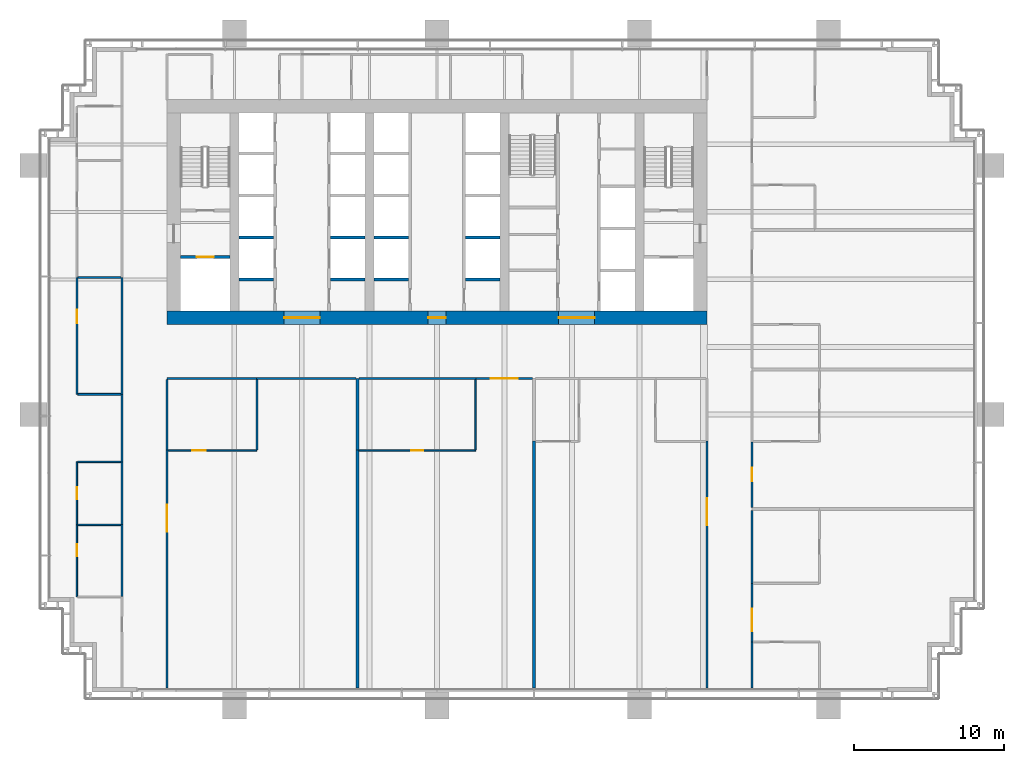
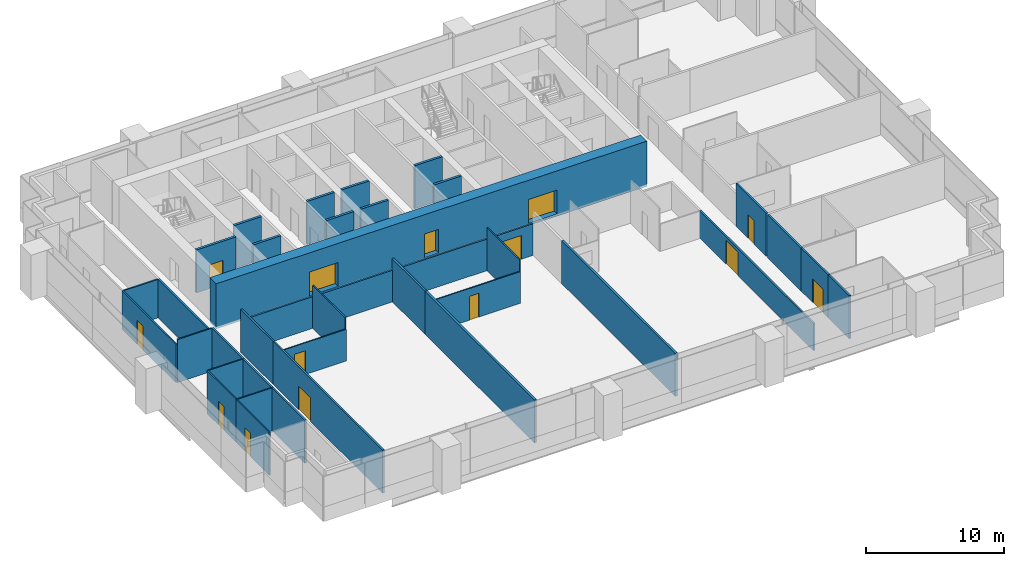
# One storey, part 12 of 19: 39 walls, 14 doors, 14 openings.
"""IFC4 building model written with IfcOpenShell, lengths in metres."""

from ifc_helpers import new_model, si_unit, direction, frame, frame_2d, origin, place, context, subcontext, project, spatial, rectangle, extrude, material, layer, layer_set, type_object, element, fill, save


model = new_model("IFC4")

# Units and contexts
model_context = context("Model", 3, precision=1e-05, world=origin(), true_north=direction((0.0, 1.0)))
body_context = subcontext(model_context, "Body", "Model", "MODEL_VIEW")
ifc_project = project(units=[si_unit("LENGTHUNIT", "METRE"), si_unit("AREAUNIT", "SQUARE_METRE"), si_unit("VOLUMEUNIT", "CUBIC_METRE"), si_unit("PLANEANGLEUNIT", "RADIAN"), si_unit("MASSUNIT", "GRAM", prefix="KILO")], contexts=[model_context])

# Site, building, storey
site_placement = place(None, origin())
site = spatial("IfcSite", under=ifc_project, at=site_placement, CompositionType="ELEMENT")
building_placement = place(site_placement, origin())
building = spatial("IfcBuilding", under=site, at=building_placement, Name="Rattan Terrace Tower", CompositionType="ELEMENT")
storey_placement = place(building_placement, frame((0.0, 0.0, 111.699951171875)))
storey = spatial("IfcBuildingStorey", under=building, at=storey_placement, Name="L25", CompositionType="ELEMENT", Elevation=111.699951171875)

# Wall, opening, door
ifc_material_1 = material(Name="Gypsum board partition")
ifc_layer_1 = layer(ifc_material_1, 0.199951171875)
ifc_layer_set_1 = layer_set([ifc_layer_1], Name="Core partition 200")
wall_type_1 = type_object("IfcWallType", Name="Core partition 200", PredefinedType="PARTITIONING", material=ifc_layer_set_1)
wall_1_placement = place(storey_placement, frame((-17.10009765625, -3.0, 0.0), z_axis=(0.0, 0.0, 1.0), x_axis=(1.0, 0.0, 0.0)))
wall_1 = element("IfcWall", 1, at=wall_1_placement, inside=storey, type_object=wall_type_1, Name="Fire-fighting lobby wall", PredefinedType="PARTITIONING", context=body_context, shape_type="SweptSolid", body=[
    extrude(rectangle(XDim=3.300048828125, YDim=0.199951171875, at=frame_2d((1.64990234375, 0.0))), origin(), (0.0, 0.0, 1.0), 3.800048828125),
])
opening_1_placement = place(wall_1_placement, frame((1.10009765625, 0.0, 0.0)))
opening_1 = element("IfcOpeningElement", 2, at=opening_1_placement, cuts=wall_1, Name="Opening L25-LD-FF1", PredefinedType="OPENING", context=body_context, shape_type="SweptSolid", body=[
    extrude(rectangle(XDim=1.10009765625, YDim=2.10009765625, at=frame_2d((0.550048828125, 1.050048828125))), frame((0.0, 0.110595703125, 0.0), z_axis=(0.0, -1.0, 0.0), x_axis=(1.0, 0.0, 0.0)), (0.0, 0.0, 1.0), 0.220947265625),
])
ifc_material_2 = material(Name="Brushed stainless landing door panel")
door_type_1 = type_object("IfcDoorType", Name="Core lift landing door 1100", OperationType="DOUBLE_DOOR_SLIDING", PredefinedType="DOOR", material=ifc_material_2)
door_1_placement = place(opening_1_placement, origin())
door_1 = element("IfcDoor", 3, at=door_1_placement, inside=storey, type_object=door_type_1, Name="Door L25-LD-FF1", OperationType="DOUBLE_DOOR_SLIDING", OverallHeight=2.10009765625, OverallWidth=1.10009765625, PredefinedType="DOOR", context=body_context, shape_type="SweptSolid", body=[
    extrude(rectangle(XDim=1.10009765625, YDim=2.10009765625, at=frame_2d((0.550048828125, 1.050048828125))), frame((0.0, 0.02490234375, 0.0), z_axis=(0.0, -1.0, 0.0), x_axis=(1.0, 0.0, 0.0)), (0.0, 0.0, 1.0), 0.050048828125),
])
fill(opening_1, door_1)

# Wall, openings, doors
ifc_material_3 = material(Name="Concrete C70/85", Category="concrete")
ifc_layer_2 = layer(ifc_material_3, 0.89990234375)
ifc_layer_set_2 = layer_set([ifc_layer_2], Name="Core ring wall 900 C70/85")
wall_type_2 = type_object("IfcWallType", Name="Core ring wall 900 C70/85", PredefinedType="SHEAR", material=ifc_layer_set_2)
wall_2_placement = place(storey_placement, frame((-18.0, -7.050048828125, -0.199951171875), z_axis=(0.0, 0.0, 1.0), x_axis=(1.0, 0.0, 0.0)))
wall_2 = element("IfcWall", 4, at=wall_2_placement, inside=storey, type_object=wall_type_2, Name="Rear core wall south", PredefinedType="SHEAR", context=body_context, shape_type="SweptSolid", body=[
    extrude(rectangle(XDim=36.0, YDim=0.89990234375, at=frame_2d((18.0, 0.0))), origin(), (0.0, 0.0, 1.0), 4.0),
])
opening_2_placement = place(wall_2_placement, frame((7.800048828125, 0.0, 0.199951171875)))
opening_2 = element("IfcOpeningElement", 5, at=opening_2_placement, cuts=wall_2, Name="Opening L25-D007", PredefinedType="OPENING", context=body_context, shape_type="SweptSolid", body=[
    extrude(rectangle(XDim=2.39990234375, YDim=2.10009765625, at=frame_2d((1.199951171875, 1.050048828125))), frame((0.0, 0.46044921875, 0.0), z_axis=(0.0, -1.0, 0.0), x_axis=(1.0, 0.0, 0.0)), (0.0, 0.0, 1.0), 0.9208984375),
])
opening_3_placement = place(wall_2_placement, frame((17.39990234375, 0.0, 0.199951171875)))
opening_3 = element("IfcOpeningElement", 6, at=opening_3_placement, cuts=wall_2, Name="Opening L25-D010", PredefinedType="OPENING", context=body_context, shape_type="SweptSolid", body=[
    extrude(rectangle(XDim=1.199951171875, YDim=2.10009765625, at=frame_2d((0.60009765625, 1.050048828125))), frame((0.0, 0.46044921875, 0.0), z_axis=(0.0, -1.0, 0.0), x_axis=(1.0, 0.0, 0.0)), (0.0, 0.0, 1.0), 0.9208984375),
])
opening_4_placement = place(wall_2_placement, frame((26.10009765625, 0.0, 0.199951171875)))
opening_4 = element("IfcOpeningElement", 7, at=opening_4_placement, cuts=wall_2, Name="Opening L25-D015", PredefinedType="OPENING", context=body_context, shape_type="SweptSolid", body=[
    extrude(rectangle(XDim=2.39990234375, YDim=2.10009765625, at=frame_2d((1.199951171875, 1.050048828125))), frame((0.0, 0.46044921875, 0.0), z_axis=(0.0, -1.0, 0.0), x_axis=(1.0, 0.0, 0.0)), (0.0, 0.0, 1.0), 0.9208984375),
])
ifc_material_4 = material(Name="Hollow-metal fire door leaf")
door_type_2 = type_object("IfcDoorType", Name="Core lift lobby door 2400", OperationType="NOTDEFINED", PredefinedType="DOOR", material=ifc_material_4)
door_2_placement = place(opening_2_placement, origin())
door_2 = element("IfcDoor", 8, at=door_2_placement, inside=storey, type_object=door_type_2, Name="Door L25-D007", OperationType="DOUBLE_DOOR_DOUBLE_SWING", OverallHeight=2.10009765625, OverallWidth=2.39990234375, PredefinedType="DOOR", context=body_context, shape_type="SweptSolid", body=[
    extrude(rectangle(XDim=2.39990234375, YDim=2.10009765625, at=frame_2d((1.199951171875, 1.050048828125))), frame((0.0, 0.02490234375, 0.0), z_axis=(0.0, -1.0, 0.0), x_axis=(1.0, 0.0, 0.0)), (0.0, 0.0, 1.0), 0.050048828125),
])
fill(opening_2, door_2)
door_3_placement = place(opening_4_placement, origin())
door_3 = element("IfcDoor", 9, at=door_3_placement, inside=storey, type_object=door_type_2, Name="Door L25-D015", OperationType="DOUBLE_DOOR_DOUBLE_SWING", OverallHeight=2.10009765625, OverallWidth=2.39990234375, PredefinedType="DOOR", context=body_context, shape_type="SweptSolid", body=[
    extrude(rectangle(XDim=2.39990234375, YDim=2.10009765625, at=frame_2d((1.199951171875, 1.050048828125))), frame((0.0, 0.02490234375, 0.0), z_axis=(0.0, -1.0, 0.0), x_axis=(1.0, 0.0, 0.0)), (0.0, 0.0, 1.0), 0.050048828125),
])
fill(opening_4, door_3)
ifc_material_5 = material(Name="Hollow-metal fire door leaf")
door_type_3 = type_object("IfcDoorType", Name="Core riser door 1200", OperationType="NOTDEFINED", PredefinedType="DOOR", material=ifc_material_5)
door_4_placement = place(opening_3_placement, origin())
door_4 = element("IfcDoor", 10, at=door_4_placement, inside=storey, type_object=door_type_3, Name="Door L25-D010", OperationType="SINGLE_SWING_LEFT", OverallHeight=2.10009765625, OverallWidth=1.199951171875, PredefinedType="DOOR", context=body_context, shape_type="SweptSolid", body=[
    extrude(rectangle(XDim=1.199951171875, YDim=2.10009765625, at=frame_2d((0.60009765625, 1.050048828125))), frame((0.0, 0.02490234375, 0.0), z_axis=(0.0, -1.0, 0.0), x_axis=(1.0, 0.0, 0.0)), (0.0, 0.0, 1.0), 0.050048828125),
])
fill(opening_3, door_4)

# Walls
ifc_material_6 = material(Name="Double steel stud acoustic partition, gypsum board, mineral wool, fire rated", Category="steel")
ifc_layer_3 = layer(ifc_material_6, 0.179931640625)
ifc_layer_set_3 = layer_set([ifc_layer_3], Name="Floors Acoustic Party Wall 180")
wall_type_3 = type_object("IfcWallType", Name="Floors Acoustic Party Wall 180", PredefinedType="PARTITIONING", material=ifc_layer_set_3)
wall_3_placement = place(storey_placement, frame((-5.2939453125, -15.8798828125, 0.0), z_axis=(0.0, 0.0, 1.0), x_axis=(0.0, -1.0, 0.0)))
element("IfcWall", 11, at=wall_3_placement, inside=storey, type_object=wall_type_3, Name="pt-L25-073", PredefinedType="PARTITIONING", context=body_context, shape_type="SweptSolid", body=[
    extrude(rectangle(XDim=15.860107421875, YDim=0.179931640625, at=frame_2d((7.93017578125, 0.0))), origin(), (0.0, 0.0, 1.0), 3.800048828125),
])
wall_4_placement = place(storey_placement, frame((-5.2939453125, -11.10009765625, 0.0), z_axis=(0.0, 0.0, 1.0), x_axis=(0.0, -1.0, 0.0)))
element("IfcWall", 12, at=wall_4_placement, inside=storey, type_object=wall_type_3, Name="pt-L25-074", PredefinedType="PARTITIONING", context=body_context, shape_type="SweptSolid", body=[
    extrude(rectangle(XDim=4.77978515625, YDim=0.179931640625, at=frame_2d((2.389892578125, 0.0))), origin(), (0.0, 0.0, 1.0), 3.800048828125),
])
wall_5_placement = place(storey_placement, frame((6.470947265625, -15.280029296875, 0.0), z_axis=(0.0, 0.0, 1.0), x_axis=(0.0, -1.0, 0.0)))
element("IfcWall", 13, at=wall_5_placement, inside=storey, type_object=wall_type_3, Name="pt-L25-077", PredefinedType="PARTITIONING", context=body_context, shape_type="SweptSolid", body=[
    extrude(rectangle(XDim=16.4599609375, YDim=0.179931640625, at=frame_2d((8.22998046875, 0.0))), origin(), (0.0, 0.0, 1.0), 3.800048828125),
])

# Wall, opening, door
ifc_material_7 = material(Name="Gypsum board partition on steel studs", Category="steel")
ifc_layer_4 = layer(ifc_material_7, 0.10009765625)
ifc_layer_set_4 = layer_set([ifc_layer_4], Name="Floors Partition 100")
wall_type_4 = type_object("IfcWallType", Name="Floors Partition 100", PredefinedType="PARTITIONING", material=ifc_layer_set_4)
wall_6_placement = place(storey_placement, frame((-24.0, -20.840087890625, 0.0), z_axis=(0.0, 0.0, 1.0), x_axis=(0.0, -1.0, 0.0)))
wall_6 = element("IfcWall", 14, at=wall_6_placement, inside=storey, type_object=wall_type_4, Name="pt-L25-032", PredefinedType="PARTITIONING", context=body_context, shape_type="SweptSolid", body=[
    extrude(rectangle(XDim=4.81982421875, YDim=0.10009765625, at=frame_2d((2.409912109375, 0.0))), origin(), (0.0, 0.0, 1.0), 3.800048828125),
])
opening_5_placement = place(wall_6_placement, frame((1.305908203125, 0.0, 0.0)))
opening_5 = element("IfcOpeningElement", 15, at=opening_5_placement, cuts=wall_6, Name="Opening L25-D101", PredefinedType="OPENING", context=body_context, shape_type="SweptSolid", body=[
    extrude(rectangle(XDim=0.800048828125, YDim=2.10009765625, at=frame_2d((0.39990234375, 1.050048828125))), frame((0.0, 0.060546875, 0.0), z_axis=(0.0, -1.0, 0.0), x_axis=(1.0, 0.0, 0.0)), (0.0, 0.0, 1.0), 0.12109375),
])
ifc_material_8 = material(Name="Solid core timber door, painted", Category="wood")
door_type_4 = type_object("IfcDoorType", Name="Floors Store Door 800x2100", OperationType="NOTDEFINED", PredefinedType="DOOR", material=ifc_material_8)
door_5_placement = place(opening_5_placement, origin())
door_5 = element("IfcDoor", 16, at=door_5_placement, inside=storey, type_object=door_type_4, Name="d-L25-101", OperationType="SINGLE_SWING_LEFT", OverallHeight=2.10009765625, OverallWidth=0.800048828125, PredefinedType="DOOR", context=body_context, shape_type="SweptSolid", body=[
    extrude(rectangle(XDim=0.800048828125, YDim=2.10009765625, at=frame_2d((0.39990234375, 1.050048828125))), frame((0.0, 0.02490234375, 0.0), z_axis=(0.0, -1.0, 0.0), x_axis=(1.0, 0.0, 0.0)), (0.0, 0.0, 1.0), 0.050048828125),
])
fill(opening_5, door_5)

wall_7_placement = place(storey_placement, frame((-24.0, -16.659912109375, 0.0), z_axis=(0.0, 0.0, 1.0), x_axis=(0.0, -1.0, 0.0)))
wall_7 = element("IfcWall", 17, at=wall_7_placement, inside=storey, type_object=wall_type_4, Name="pt-L25-034", PredefinedType="PARTITIONING", context=body_context, shape_type="SweptSolid", body=[
    extrude(rectangle(XDim=4.18017578125, YDim=0.10009765625, at=frame_2d((2.090087890625, 0.0))), origin(), (0.0, 0.0, 1.0), 3.800048828125),
])
opening_6_placement = place(wall_7_placement, frame((1.68994140625, 0.0, 0.0)))
opening_6 = element("IfcOpeningElement", 18, at=opening_6_placement, cuts=wall_7, Name="Opening L25-D102", PredefinedType="OPENING", context=body_context, shape_type="SweptSolid", body=[
    extrude(rectangle(XDim=0.800048828125, YDim=2.10009765625, at=frame_2d((0.39990234375, 1.050048828125))), frame((0.0, 0.060546875, 0.0), z_axis=(0.0, -1.0, 0.0), x_axis=(1.0, 0.0, 0.0)), (0.0, 0.0, 1.0), 0.12109375),
])
door_6_placement = place(opening_6_placement, origin())
door_6 = element("IfcDoor", 19, at=door_6_placement, inside=storey, type_object=door_type_4, Name="d-L25-102", OperationType="SINGLE_SWING_LEFT", OverallHeight=2.10009765625, OverallWidth=0.800048828125, PredefinedType="DOOR", context=body_context, shape_type="SweptSolid", body=[
    extrude(rectangle(XDim=0.800048828125, YDim=2.10009765625, at=frame_2d((0.39990234375, 1.050048828125))), frame((0.0, 0.02490234375, 0.0), z_axis=(0.0, -1.0, 0.0), x_axis=(1.0, 0.0, 0.0)), (0.0, 0.0, 1.0), 0.050048828125),
])
fill(opening_6, door_6)

# Walls
for number, where, z_axis, x_axis, name in (
    (20, (-21.074951171875, -16.659912109375, 0.0), (0.0, 0.0, 1.0), (-1.0, 0.0, 0.0), "pt-L25-035"),
    (21, (-23.949951171875, -20.860107421875, 0.0), (0.0, 0.0, 1.0), (1.0, 0.0, 0.0), "pt-L25-041"),
):
    element("IfcWall", number, at=place(storey_placement, frame(where, z_axis=z_axis, x_axis=x_axis)), inside=storey, type_object=wall_type_4, Name=name, PredefinedType="PARTITIONING", context=body_context, shape_type="SweptSolid", body=[
        extrude(rectangle(XDim=2.875, YDim=0.10009765625, at=frame_2d((1.4375, 0.0))), origin(), (0.0, 0.0, 1.0), 3.800048828125),
    ])

# Wall, opening, door
wall_8_placement = place(storey_placement, frame((-17.925048828125, -15.89990234375, 0.0), z_axis=(0.0, 0.0, 1.0), x_axis=(1.0, 0.0, 0.0)))
wall_8 = element("IfcWall", 22, at=wall_8_placement, inside=storey, type_object=wall_type_4, Name="pt-L25-071", PredefinedType="PARTITIONING", context=body_context, shape_type="SweptSolid", body=[
    extrude(rectangle(XDim=5.925048828125, YDim=0.10009765625, at=frame_2d((2.96240234375, 0.0))), origin(), (0.0, 0.0, 1.0), 2.800048828125),
])
opening_7_placement = place(wall_8_placement, frame((1.60791015625, 0.0, 0.0)))
opening_7 = element("IfcOpeningElement", 23, at=opening_7_placement, cuts=wall_8, Name="Opening L25-D122", PredefinedType="OPENING", context=body_context, shape_type="SweptSolid", body=[
    extrude(rectangle(XDim=0.89990234375, YDim=2.10009765625, at=frame_2d((0.449951171875, 1.050048828125))), frame((0.0, 0.060546875, 0.0), z_axis=(0.0, -1.0, 0.0), x_axis=(1.0, 0.0, 0.0)), (0.0, 0.0, 1.0), 0.12109375),
])
ifc_material_9 = material(Name="Solid core timber door, painted", Category="wood")
door_type_5 = type_object("IfcDoorType", Name="Floors Door 900x2100", OperationType="NOTDEFINED", PredefinedType="DOOR", material=ifc_material_9)
door_7_placement = place(opening_7_placement, origin())
door_7 = element("IfcDoor", 24, at=door_7_placement, inside=storey, type_object=door_type_5, Name="d-L25-122", OperationType="SINGLE_SWING_LEFT", OverallHeight=2.10009765625, OverallWidth=0.89990234375, PredefinedType="DOOR", context=body_context, shape_type="SweptSolid", body=[
    extrude(rectangle(XDim=0.89990234375, YDim=2.10009765625, at=frame_2d((0.449951171875, 1.050048828125))), frame((0.0, 0.02490234375, 0.0), z_axis=(0.0, -1.0, 0.0), x_axis=(1.0, 0.0, 0.0)), (0.0, 0.0, 1.0), 0.050048828125),
])
fill(opening_7, door_7)

# Wall
wall_9_placement = place(storey_placement, frame((-12.0, -15.85009765625, 0.0), z_axis=(0.0, 0.0, 1.0), x_axis=(0.0, 1.0, 0.0)))
element("IfcWall", 25, at=wall_9_placement, inside=storey, type_object=wall_type_4, Name="pt-L25-072", PredefinedType="PARTITIONING", context=body_context, shape_type="SweptSolid", body=[
    extrude(rectangle(XDim=4.675048828125, YDim=0.10009765625, at=frame_2d((2.33740234375, 0.0))), origin(), (0.0, 0.0, 1.0), 3.800048828125),
])

# Wall, opening, door
wall_10_placement = place(storey_placement, frame((-5.2041015625, -15.89990234375, 0.0), z_axis=(0.0, 0.0, 1.0), x_axis=(1.0, 0.0, 0.0)))
wall_10 = element("IfcWall", 26, at=wall_10_placement, inside=storey, type_object=wall_type_4, Name="pt-L25-075", PredefinedType="PARTITIONING", context=body_context, shape_type="SweptSolid", body=[
    extrude(rectangle(XDim=7.775146484375, YDim=0.10009765625, at=frame_2d((3.8876953125, 0.0))), origin(), (0.0, 0.0, 1.0), 2.800048828125),
])
opening_8_placement = place(wall_10_placement, frame((3.488037109375, 0.0, 0.0)))
opening_8 = element("IfcOpeningElement", 27, at=opening_8_placement, cuts=wall_10, Name="Opening L25-D124", PredefinedType="OPENING", context=body_context, shape_type="SweptSolid", body=[
    extrude(rectangle(XDim=0.800048828125, YDim=2.10009765625, at=frame_2d((0.39990234375, 1.050048828125))), frame((0.0, 0.060546875, 0.0), z_axis=(0.0, -1.0, 0.0), x_axis=(1.0, 0.0, 0.0)), (0.0, 0.0, 1.0), 0.12109375),
])
door_8_placement = place(opening_8_placement, origin())
door_8 = element("IfcDoor", 28, at=door_8_placement, inside=storey, type_object=door_type_4, Name="d-L25-124", OperationType="SINGLE_SWING_LEFT", OverallHeight=2.10009765625, OverallWidth=0.800048828125, PredefinedType="DOOR", context=body_context, shape_type="SweptSolid", body=[
    extrude(rectangle(XDim=0.800048828125, YDim=2.10009765625, at=frame_2d((0.39990234375, 1.050048828125))), frame((0.0, 0.02490234375, 0.0), z_axis=(0.0, -1.0, 0.0), x_axis=(1.0, 0.0, 0.0)), (0.0, 0.0, 1.0), 0.050048828125),
])
fill(opening_8, door_8)

# Walls
wall_11_placement = place(storey_placement, frame((2.571044921875, -15.85009765625, 0.0), z_axis=(0.0, 0.0, 1.0), x_axis=(0.0, 1.0, 0.0)))
element("IfcWall", 29, at=wall_11_placement, inside=storey, type_object=wall_type_4, Name="pt-L25-076", PredefinedType="PARTITIONING", context=body_context, shape_type="SweptSolid", body=[
    extrude(rectangle(XDim=4.675048828125, YDim=0.10009765625, at=frame_2d((2.33740234375, 0.0))), origin(), (0.0, 0.0, 1.0), 3.800048828125),
])
ifc_material_10 = material(Name="Gypsum board partition on steel studs, fire rated", Category="steel")
ifc_layer_5 = layer(ifc_material_10, 0.14990234375)
ifc_layer_set_5 = layer_set([ifc_layer_5], Name="Floors Tenancy Wall 150")
wall_type_5 = type_object("IfcWallType", Name="Floors Tenancy Wall 150", PredefinedType="PARTITIONING", material=ifc_layer_set_5)
wall_12_placement = place(storey_placement, frame((-21.0, -16.679931640625, 0.0), z_axis=(0.0, 0.0, 1.0), x_axis=(0.0, 1.0, 0.0)))
element("IfcWall", 30, at=wall_12_placement, inside=storey, type_object=wall_type_5, Name="pt-L25-003", PredefinedType="PARTITIONING", context=body_context, shape_type="SweptSolid", body=[
    extrude(rectangle(XDim=4.5, YDim=0.14990234375, at=frame_2d((2.25, 0.0))), origin(), (0.0, 0.0, 1.0), 3.800048828125),
])
wall_13_placement = place(storey_placement, frame((-21.0, -25.639892578125, 0.0), z_axis=(0.0, 0.0, 1.0), x_axis=(0.0, 1.0, 0.0)))
element("IfcWall", 31, at=wall_13_placement, inside=storey, type_object=wall_type_5, Name="pt-L25-004", PredefinedType="PARTITIONING", context=body_context, shape_type="SweptSolid", body=[
    extrude(rectangle(XDim=4.7998046875, YDim=0.14990234375, at=frame_2d((2.39990234375, 0.0))), origin(), (0.0, 0.0, 1.0), 3.800048828125),
])
wall_14_placement = place(storey_placement, frame((-21.0, -20.840087890625, 0.0), z_axis=(0.0, 0.0, 1.0), x_axis=(0.0, 1.0, 0.0)))
element("IfcWall", 32, at=wall_14_placement, inside=storey, type_object=wall_type_5, Name="pt-L25-005", PredefinedType="PARTITIONING", context=body_context, shape_type="SweptSolid", body=[
    extrude(rectangle(XDim=4.16015625, YDim=0.14990234375, at=frame_2d((2.080078125, 0.0))), origin(), (0.0, 0.0, 1.0), 3.800048828125),
])
wall_15_placement = place(storey_placement, frame((-21.0, -12.179931640625, 0.0), z_axis=(0.0, 0.0, 1.0), x_axis=(0.0, 1.0, 0.0)))
element("IfcWall", 33, at=wall_15_placement, inside=storey, type_object=wall_type_5, Name="pt-L25-006", PredefinedType="PARTITIONING", context=body_context, shape_type="SweptSolid", body=[
    extrude(rectangle(XDim=7.800048828125, YDim=0.14990234375, at=frame_2d((3.89990234375, 0.0))), origin(), (0.0, 0.0, 1.0), 3.400146484375),
])

# Wall, opening, door
wall_16_placement = place(storey_placement, frame((21.0, -24.780029296875, 0.0), z_axis=(0.0, 0.0, 1.0), x_axis=(0.0, -1.0, 0.0)))
wall_16 = element("IfcWall", 34, at=wall_16_placement, inside=storey, type_object=wall_type_5, Name="pt-L25-009", PredefinedType="PARTITIONING", context=body_context, shape_type="SweptSolid", body=[
    extrude(rectangle(XDim=3.89990234375, YDim=0.14990234375, at=frame_2d((1.949951171875, 0.0))), origin(), (0.0, 0.0, 1.0), 3.800048828125),
])
opening_9_placement = place(wall_16_placement, frame((1.675048828125, 0.0, 0.0)))
opening_9 = element("IfcOpeningElement", 35, at=opening_9_placement, cuts=wall_16, Name="Opening L25-D106", PredefinedType="OPENING", context=body_context, shape_type="SweptSolid", body=[
    extrude(rectangle(XDim=1.5, YDim=2.10009765625, at=frame_2d((0.75, 1.050048828125))), frame((0.0, 0.08544921875, 0.0), z_axis=(0.0, -1.0, 0.0), x_axis=(1.0, 0.0, 0.0)), (0.0, 0.0, 1.0), 0.1708984375),
])
ifc_material_11 = material(Name="Steel fire door set", Category="steel")
door_type_6 = type_object("IfcDoorType", Name="Floors Unit Door Pair FD30S 1500x2100", OperationType="NOTDEFINED", PredefinedType="DOOR", material=ifc_material_11)
door_9_placement = place(opening_9_placement, origin())
door_9 = element("IfcDoor", 36, at=door_9_placement, inside=storey, type_object=door_type_6, Name="d-L25-106", OperationType="DOUBLE_DOOR_SINGLE_SWING", OverallHeight=2.10009765625, OverallWidth=1.5, PredefinedType="DOOR", context=body_context, shape_type="SweptSolid", body=[
    extrude(rectangle(XDim=1.5, YDim=2.10009765625, at=frame_2d((0.75, 1.050048828125))), frame((0.0, 0.02490234375, 0.0), z_axis=(0.0, -1.0, 0.0), x_axis=(1.0, 0.0, 0.0)), (0.0, 0.0, 1.0), 0.050048828125),
])
fill(opening_9, door_9)

# Walls
wall_17_placement = place(storey_placement, frame((21.0, -28.679931640625, 0.0), z_axis=(0.0, 0.0, 1.0), x_axis=(0.0, -1.0, 0.0)))
element("IfcWall", 37, at=wall_17_placement, inside=storey, type_object=wall_type_5, Name="pt-L25-010", PredefinedType="PARTITIONING", context=body_context, shape_type="SweptSolid", body=[
    extrude(rectangle(XDim=3.06005859375, YDim=0.14990234375, at=frame_2d((1.530029296875, 0.0))), origin(), (0.0, 0.0, 1.0), 3.800048828125),
])
wall_18_placement = place(storey_placement, frame((21.0, -19.889892578125, 0.0), z_axis=(0.0, 0.0, 1.0), x_axis=(0.0, -1.0, 0.0)))
element("IfcWall", 38, at=wall_18_placement, inside=storey, type_object=wall_type_5, Name="pt-L25-011", PredefinedType="PARTITIONING", context=body_context, shape_type="SweptSolid", body=[
    extrude(rectangle(XDim=4.89013671875, YDim=0.14990234375, at=frame_2d((2.445068359375, 0.0))), origin(), (0.0, 0.0, 1.0), 3.800048828125),
])

# Wall, opening, door
wall_19_placement = place(storey_placement, frame((21.0, -15.320068359375, 0.0), z_axis=(0.0, 0.0, 1.0), x_axis=(0.0, -1.0, 0.0)))
wall_19 = element("IfcWall", 39, at=wall_19_placement, inside=storey, type_object=wall_type_5, Name="pt-L25-012", PredefinedType="PARTITIONING", context=body_context, shape_type="SweptSolid", body=[
    extrude(rectangle(XDim=4.389892578125, YDim=0.14990234375, at=frame_2d((2.19482421875, 0.0))), origin(), (0.0, 0.0, 1.0), 3.800048828125),
])
opening_10_placement = place(wall_19_placement, frame((1.7451171875, 0.0, 0.0)))
opening_10 = element("IfcOpeningElement", 40, at=opening_10_placement, cuts=wall_19, Name="Opening L25-D109", PredefinedType="OPENING", context=body_context, shape_type="SweptSolid", body=[
    extrude(rectangle(XDim=0.89990234375, YDim=2.10009765625, at=frame_2d((0.449951171875, 1.050048828125))), frame((0.0, 0.08544921875, 0.0), z_axis=(0.0, -1.0, 0.0), x_axis=(1.0, 0.0, 0.0)), (0.0, 0.0, 1.0), 0.1708984375),
])
ifc_material_12 = material(Name="Steel fire door set", Category="steel")
door_type_7 = type_object("IfcDoorType", Name="Floors Fire Door FD30S 900x2100", OperationType="NOTDEFINED", PredefinedType="DOOR", material=ifc_material_12)
door_10_placement = place(opening_10_placement, origin())
door_10 = element("IfcDoor", 41, at=door_10_placement, inside=storey, type_object=door_type_7, Name="d-L25-109", OperationType="SINGLE_SWING_RIGHT", OverallHeight=2.10009765625, OverallWidth=0.89990234375, PredefinedType="DOOR", context=body_context, shape_type="SweptSolid", body=[
    extrude(rectangle(XDim=0.89990234375, YDim=2.10009765625, at=frame_2d((0.449951171875, 1.050048828125))), frame((0.0, 0.02490234375, 0.0), z_axis=(0.0, -1.0, 0.0), x_axis=(1.0, 0.0, 0.0)), (0.0, 0.0, 1.0), 0.050048828125),
])
fill(opening_10, door_10)

wall_20_placement = place(storey_placement, frame((-18.0, -15.8798828125, 0.0), z_axis=(0.0, 0.0, 1.0), x_axis=(0.0, -1.0, 0.0)))
wall_20 = element("IfcWall", 42, at=wall_20_placement, inside=storey, type_object=wall_type_5, Name="pt-L25-021", PredefinedType="PARTITIONING", context=body_context, shape_type="SweptSolid", body=[
    extrude(rectangle(XDim=15.860107421875, YDim=0.14990234375, at=frame_2d((7.93017578125, 0.0))), origin(), (0.0, 0.0, 1.0), 3.800048828125),
])
opening_11_placement = place(wall_20_placement, frame((3.639892578125, 0.0, 0.0)))
opening_11 = element("IfcOpeningElement", 43, at=opening_11_placement, cuts=wall_20, Name="Opening L25-D121", PredefinedType="OPENING", context=body_context, shape_type="SweptSolid", body=[
    extrude(rectangle(XDim=1.800048828125, YDim=2.10009765625, at=frame_2d((0.89990234375, 1.050048828125))), frame((0.0, 0.08544921875, 0.0), z_axis=(0.0, -1.0, 0.0), x_axis=(1.0, 0.0, 0.0)), (0.0, 0.0, 1.0), 0.1708984375),
])
ifc_material_13 = material(Name="Steel fire door set", Category="steel")
door_type_8 = type_object("IfcDoorType", Name="Floors Fire Door Pair FD30S 1800x2100", OperationType="NOTDEFINED", PredefinedType="DOOR", material=ifc_material_13)
door_11_placement = place(opening_11_placement, origin())
door_11 = element("IfcDoor", 44, at=door_11_placement, inside=storey, type_object=door_type_8, Name="d-L25-121", OperationType="DOUBLE_DOOR_SINGLE_SWING", OverallHeight=2.10009765625, OverallWidth=1.800048828125, PredefinedType="DOOR", context=body_context, shape_type="SweptSolid", body=[
    extrude(rectangle(XDim=1.800048828125, YDim=2.10009765625, at=frame_2d((0.89990234375, 1.050048828125))), frame((0.0, 0.02490234375, 0.0), z_axis=(0.0, -1.0, 0.0), x_axis=(1.0, 0.0, 0.0)), (0.0, 0.0, 1.0), 0.050048828125),
])
fill(opening_11, door_11)

# Walls
wall_21_placement = place(storey_placement, frame((-5.384033203125, -11.10009765625, 0.0), z_axis=(0.0, 0.0, 1.0), x_axis=(-1.0, 0.0, 0.0)))
element("IfcWall", 45, at=wall_21_placement, inside=storey, type_object=wall_type_5, Name="pt-L25-022", PredefinedType="PARTITIONING", context=body_context, shape_type="SweptSolid", body=[
    extrude(rectangle(XDim=6.635986328125, YDim=0.14990234375, at=frame_2d((3.31787109375, 0.0))), origin(), (0.0, 0.0, 1.0), 2.800048828125),
])
wall_22_placement = place(storey_placement, frame((-18.0, -11.175048828125, 0.0), z_axis=(0.0, 0.0, 1.0), x_axis=(0.0, -1.0, 0.0)))
element("IfcWall", 46, at=wall_22_placement, inside=storey, type_object=wall_type_5, Name="pt-L25-023", PredefinedType="PARTITIONING", context=body_context, shape_type="SweptSolid", body=[
    extrude(rectangle(XDim=4.704833984375, YDim=0.14990234375, at=frame_2d((2.3525390625, 0.0))), origin(), (0.0, 0.0, 1.0), 3.800048828125),
])
wall_23_placement = place(storey_placement, frame((-12.02001953125, -11.10009765625, 0.0), z_axis=(0.0, 0.0, 1.0), x_axis=(-1.0, 0.0, 0.0)))
element("IfcWall", 47, at=wall_23_placement, inside=storey, type_object=wall_type_5, Name="pt-L25-024", PredefinedType="PARTITIONING", context=body_context, shape_type="SweptSolid", body=[
    extrude(rectangle(XDim=5.97998046875, YDim=0.14990234375, at=frame_2d((2.989990234375, 0.0))), origin(), (0.0, 0.0, 1.0), 2.800048828125),
])

# Wall, opening, door
wall_24_placement = place(storey_placement, frame((6.381103515625, -11.09912109375, 0.0), z_axis=(0.0, 0.0, 1.0), x_axis=(-1.0, 0.0, 0.0)))
wall_24 = element("IfcWall", 48, at=wall_24_placement, inside=storey, type_object=wall_type_5, Name="pt-L25-025", PredefinedType="PARTITIONING", context=body_context, shape_type="SweptSolid", body=[
    extrude(rectangle(XDim=3.7900390625, YDim=0.14990234375, at=frame_2d((1.89501953125, 0.0))), origin(), (0.0, 0.0, 1.0), 2.800048828125),
])
opening_12_placement = place(wall_24_placement, frame((0.9951171875, 0.0, 0.0)))
opening_12 = element("IfcOpeningElement", 49, at=opening_12_placement, cuts=wall_24, Name="Opening L25-D123", PredefinedType="OPENING", context=body_context, shape_type="SweptSolid", body=[
    extrude(rectangle(XDim=1.800048828125, YDim=2.10009765625, at=frame_2d((0.89990234375, 1.050048828125))), frame((0.0, 0.08544921875, 0.0), z_axis=(0.0, -1.0, 0.0), x_axis=(1.0, 0.0, 0.0)), (0.0, 0.0, 1.0), 0.1708984375),
])
door_12_placement = place(opening_12_placement, origin())
door_12 = element("IfcDoor", 50, at=door_12_placement, inside=storey, type_object=door_type_8, Name="d-L25-123", OperationType="DOUBLE_DOOR_SINGLE_SWING", OverallHeight=2.10009765625, OverallWidth=1.800048828125, PredefinedType="DOOR", context=body_context, shape_type="SweptSolid", body=[
    extrude(rectangle(XDim=1.800048828125, YDim=2.10009765625, at=frame_2d((0.89990234375, 1.050048828125))), frame((0.0, 0.02490234375, 0.0), z_axis=(0.0, -1.0, 0.0), x_axis=(1.0, 0.0, 0.0)), (0.0, 0.0, 1.0), 0.050048828125),
])
fill(opening_12, door_12)

# Wall
wall_25_placement = place(storey_placement, frame((2.591064453125, -11.10009765625, 0.0), z_axis=(0.0, 0.0, 1.0), x_axis=(-1.0, 0.0, 0.0)))
element("IfcWall", 51, at=wall_25_placement, inside=storey, type_object=wall_type_5, Name="pt-L25-026", PredefinedType="PARTITIONING", context=body_context, shape_type="SweptSolid", body=[
    extrude(rectangle(XDim=7.795166015625, YDim=0.14990234375, at=frame_2d((3.8974609375, 0.0))), origin(), (0.0, 0.0, 1.0), 2.800048828125),
])

# Wall, opening, door
wall_26_placement = place(storey_placement, frame((18.0, -31.739990234375, 0.0), z_axis=(0.0, 0.0, 1.0), x_axis=(0.0, 1.0, 0.0)))
wall_26 = element("IfcWall", 52, at=wall_26_placement, inside=storey, type_object=wall_type_5, Name="pt-L25-028", PredefinedType="PARTITIONING", context=body_context, shape_type="SweptSolid", body=[
    extrude(rectangle(XDim=16.4599609375, YDim=0.14990234375, at=frame_2d((8.22998046875, 0.0))), origin(), (0.0, 0.0, 1.0), 2.400146484375),
])
opening_13_placement = place(wall_26_placement, frame((10.8701171875, 0.0, 0.0)))
opening_13 = element("IfcOpeningElement", 53, at=opening_13_placement, cuts=wall_26, Name="Opening L25-D125", PredefinedType="OPENING", context=body_context, shape_type="SweptSolid", body=[
    extrude(rectangle(XDim=1.800048828125, YDim=2.10009765625, at=frame_2d((0.89990234375, 1.050048828125))), frame((0.0, 0.08544921875, 0.0), z_axis=(0.0, -1.0, 0.0), x_axis=(1.0, 0.0, 0.0)), (0.0, 0.0, 1.0), 0.1708984375),
])
door_13_placement = place(opening_13_placement, origin())
door_13 = element("IfcDoor", 54, at=door_13_placement, inside=storey, type_object=door_type_8, Name="d-L25-125", OperationType="DOUBLE_DOOR_SINGLE_SWING", OverallHeight=2.10009765625, OverallWidth=1.800048828125, PredefinedType="DOOR", context=body_context, shape_type="SweptSolid", body=[
    extrude(rectangle(XDim=1.800048828125, YDim=2.10009765625, at=frame_2d((0.89990234375, 1.050048828125))), frame((0.0, 0.02490234375, 0.0), z_axis=(0.0, -1.0, 0.0), x_axis=(1.0, 0.0, 0.0)), (0.0, 0.0, 1.0), 0.050048828125),
])
fill(opening_13, door_13)

ifc_material_14 = material(Name="Moisture resistant gypsum board partition on steel studs with service cavity", Category="steel")
ifc_layer_6 = layer(ifc_material_14, 0.1201171875)
ifc_layer_set_6 = layer_set([ifc_layer_6], Name="Floors Wet Wall 120")
wall_type_6 = type_object("IfcWallType", Name="Floors Wet Wall 120", PredefinedType="PARTITIONING", material=ifc_layer_set_6)
wall_27_placement = place(storey_placement, frame((-24.0, -4.340087890625, 0.0), z_axis=(0.0, 0.0, 1.0), x_axis=(0.0, -1.0, 0.0)))
wall_27 = element("IfcWall", 55, at=wall_27_placement, inside=storey, type_object=wall_type_6, Name="pt-L25-036", PredefinedType="PARTITIONING", context=body_context, shape_type="SweptSolid", body=[
    extrude(rectangle(XDim=7.81982421875, YDim=0.1201171875, at=frame_2d((3.909912109375, 0.0))), origin(), (0.0, 0.0, 1.0), 3.400146484375),
])
opening_14_placement = place(wall_27_placement, frame((2.176025390625, 0.0, 0.0)))
opening_14 = element("IfcOpeningElement", 56, at=opening_14_placement, cuts=wall_27, Name="Opening L25-D103", PredefinedType="OPENING", context=body_context, shape_type="SweptSolid", body=[
    extrude(rectangle(XDim=0.89990234375, YDim=2.10009765625, at=frame_2d((0.449951171875, 1.050048828125))), frame((0.0, 0.070556640625, 0.0), z_axis=(0.0, -1.0, 0.0), x_axis=(1.0, 0.0, 0.0)), (0.0, 0.0, 1.0), 0.14111328125),
])
door_14_placement = place(opening_14_placement, origin())
door_14 = element("IfcDoor", 57, at=door_14_placement, inside=storey, type_object=door_type_5, Name="d-L25-103", OperationType="SINGLE_SWING_LEFT", OverallHeight=2.10009765625, OverallWidth=0.89990234375, PredefinedType="DOOR", context=body_context, shape_type="SweptSolid", body=[
    extrude(rectangle(XDim=0.89990234375, YDim=2.10009765625, at=frame_2d((0.449951171875, 1.050048828125))), frame((0.0, 0.02490234375, 0.0), z_axis=(0.0, -1.0, 0.0), x_axis=(1.0, 0.0, 0.0)), (0.0, 0.0, 1.0), 0.050048828125),
])
fill(opening_14, door_14)

# Walls
wall_28_placement = place(storey_placement, frame((-23.93994140625, -12.159912109375, 0.0), z_axis=(0.0, 0.0, 1.0), x_axis=(1.0, 0.0, 0.0)))
element("IfcWall", 58, at=wall_28_placement, inside=storey, type_object=wall_type_6, Name="pt-L25-037", PredefinedType="PARTITIONING", context=body_context, shape_type="SweptSolid", body=[
    extrude(rectangle(XDim=2.864990234375, YDim=0.1201171875, at=frame_2d((1.4326171875, 0.0))), origin(), (0.0, 0.0, 1.0), 3.800048828125),
])
wall_29_placement = place(storey_placement, frame((-23.93994140625, -4.360107421875, 0.0), z_axis=(0.0, 0.0, 1.0), x_axis=(1.0, 0.0, 0.0)))
element("IfcWall", 59, at=wall_29_placement, inside=storey, type_object=wall_type_6, Name="pt-L25-042", PredefinedType="PARTITIONING", context=body_context, shape_type="SweptSolid", body=[
    extrude(rectangle(XDim=2.864990234375, YDim=0.1201171875, at=frame_2d((1.4326171875, 0.0))), origin(), (0.0, 0.0, 1.0), 3.400146484375),
])
ifc_material_15 = material(Name="Gypsum shaft wall system")
ifc_layer_7 = layer(ifc_material_15, 0.199951171875)
ifc_layer_set_7 = layer_set([ifc_layer_7], Name="Lift shaft wall 200")
wall_type_7 = type_object("IfcWallType", Name="Lift shaft wall 200", PredefinedType="PARTITIONING", material=ifc_layer_set_7)
for number, where, z_axis, x_axis, name in (
    (60, (-13.199951171875, -1.699951171875, 0.0), (0.0, 0.0, 1.0), (1.0, 0.0, 0.0), "Lift shaft wall"),
    (61, (-13.199951171875, -4.5, 0.0), (0.0, 0.0, 1.0), (1.0, 0.0, 0.0), "Lift shaft wall"),
    (62, (-7.10009765625, -1.699951171875, 0.0), (0.0, 0.0, 1.0), (1.0, 0.0, 0.0), "Lift shaft wall"),
    (63, (-7.10009765625, -4.5, 0.0), (0.0, 0.0, 1.0), (1.0, 0.0, 0.0), "Lift shaft wall"),
    (64, (-4.199951171875, -1.699951171875, 0.0), (0.0, 0.0, 1.0), (1.0, 0.0, 0.0), "Lift shaft wall"),
    (65, (-4.199951171875, -4.5, 0.0), (0.0, 0.0, 1.0), (1.0, 0.0, 0.0), "Lift shaft wall"),
    (66, (1.89990234375, -1.699951171875, 0.0), (0.0, 0.0, 1.0), (1.0, 0.0, 0.0), "Lift shaft wall"),
    (67, (1.89990234375, -4.5, 0.0), (0.0, 0.0, 1.0), (1.0, 0.0, 0.0), "Lift shaft wall"),
):
    element("IfcWall", number, at=place(storey_placement, frame(where, z_axis=z_axis, x_axis=x_axis)), inside=storey, type_object=wall_type_7, Name=name, PredefinedType="PARTITIONING", context=body_context, shape_type="SweptSolid", body=[
        extrude(rectangle(XDim=2.300048828125, YDim=0.199951171875, at=frame_2d((1.14990234375, 0.0))), origin(), (0.0, 0.0, 1.0), 3.800048828125),
    ])

save(model, "model.ifc")
